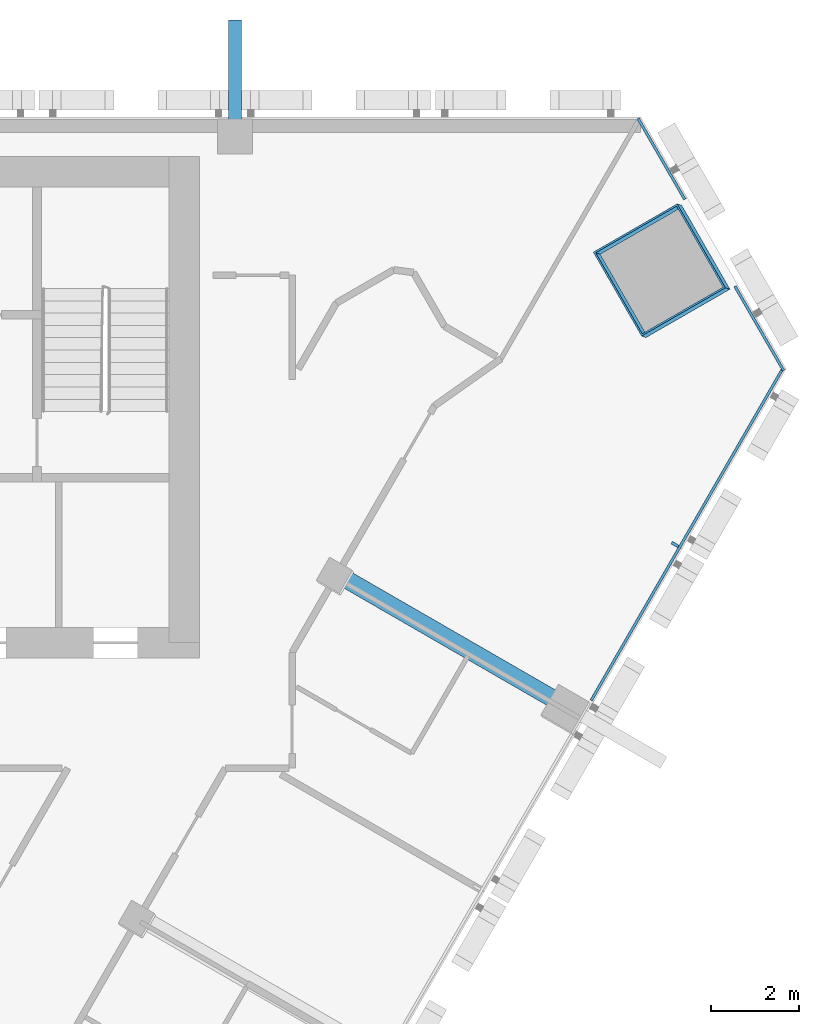
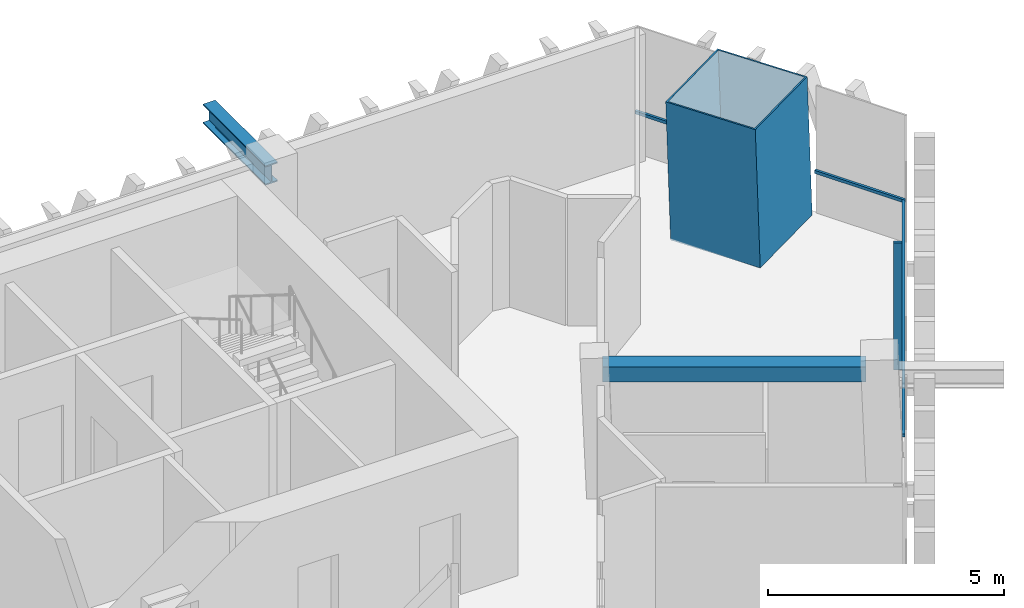
# One storey, part 6 of 15: 6 members, 1 beam, 2 elements without a shape of their own.
"""IFC4 building model written with IfcOpenShell, lengths in metres."""

from ifc_helpers import new_model, si_unit, direction, frame, origin, origin_2d, place, context, subcontext, project, spatial, rectangle, hollow_rectangle, i_section, extrude, material, layer, layer_set, material_profile, profile_set, type_object, element, aggregate, save


model = new_model("IFC4")

# Units and contexts
model_context = context("Model", 3, precision=1e-05, world=origin(), true_north=direction((0.0, 1.0)))
body_context = subcontext(model_context, "Body", "Model", "MODEL_VIEW")
ifc_project = project(units=[si_unit("LENGTHUNIT", "METRE"), si_unit("AREAUNIT", "SQUARE_METRE"), si_unit("VOLUMEUNIT", "CUBIC_METRE"), si_unit("PLANEANGLEUNIT", "RADIAN"), si_unit("MASSUNIT", "GRAM", prefix="KILO")], contexts=[model_context])

# Site, building, storey
site_placement = place(None, origin())
site = spatial("IfcSite", under=ifc_project, at=site_placement, CompositionType="ELEMENT")
building_placement = place(site_placement, origin())
building = spatial("IfcBuilding", under=site, at=building_placement, Name="Altiplano Prism Tower", CompositionType="ELEMENT")
storey_placement = place(building_placement, frame((0.0, 0.0, 185.39990234375)))
storey = spatial("IfcBuildingStorey", under=building, at=storey_placement, Name="L48", CompositionType="ELEMENT", Elevation=185.39990234375)

# Member
ifc_material_1 = material(Name="Steel S355", Category="steel")
ifc_material_profile_1 = material_profile(ifc_material_1, i_section(OverallWidth=0.300048828125, OverallDepth=0.5, WebThickness=0.014404296875, FlangeThickness=0.028076171875, FilletRadius=0.027099609375, at=origin_2d()), Name="Brace bracket HEB 500")
ifc_profile_set_1 = profile_set([ifc_material_profile_1], Name="Steel S355")
member_type_1 = type_object("IfcMemberType", Name="Brace bracket HEB 500", PredefinedType="STRUT", material=ifc_profile_set_1)
member_1_placement = place(storey_placement, frame((98.5, 104.550048828125, 2.9501953125), z_axis=(0.0, 1.0, 0.0), x_axis=(-1.0, 0.0, 0.0)))
element("IfcMember", 1, at=member_1_placement, inside=storey, type_object=member_type_1, Name="Brace bracket 0.189", PredefinedType="STRUT", context=body_context, shape_type="SweptSolid", body=[
    extrude(i_section(OverallWidth=0.300048828125, OverallDepth=0.5, WebThickness=0.014404296875, FlangeThickness=0.028076171875, FilletRadius=0.027099609375, at=origin_2d()), origin(), (0.0, 0.0, 1.0), 2.64990234375),
])

# Curtain wall, members
ifc_material_2 = material(Name="Aluminium and glass", Category="aluminium")
ifc_layer = layer(ifc_material_2, 0.280029296875)
ifc_layer_set = layer_set([ifc_layer], Name="Aluminium and glass")
curtain_wall_type = type_object("IfcCurtainWallType", Name="CW1 typical co-living unitised curtain wall", PredefinedType="NOTDEFINED", material=ifc_layer_set)
curtain_wall_1_placement = place(storey_placement, origin())
curtain_wall_1 = element("IfcCurtainWall", 2, at=curtain_wall_1_placement, inside=storey, type_object=curtain_wall_type, Name="CW1 curtain wall south-east face L48", PredefinedType="NOTDEFINED")
ifc_material_3 = material(Name="Aluminium", Category="aluminium")
ifc_material_profile_2 = material_profile(ifc_material_3, rectangle(XDim=0.179931640625, YDim=0.06494140625, at=origin_2d()), Name="CW1 mullion 65 x 180")
ifc_profile_set_2 = profile_set([ifc_material_profile_2], Name="Aluminium")
member_type_2 = type_object("IfcMemberType", Name="CW1 mullion 65 x 180", PredefinedType="MULLION", material=ifc_profile_set_2)
member_2_placement = place(storey_placement, frame((108.50244140625, 95.279541015625, 0.0), z_axis=(0.0, 0.0, 1.0), x_axis=(-0.866025407999, 0.499999992699, 0.0)))
member_2 = element("IfcMember", 3, at=member_2_placement, type_object=member_type_2, Name="CW1 mullion", PredefinedType="MULLION", context=body_context, shape_type="SweptSolid", body=[
    extrude(rectangle(XDim=0.179931640625, YDim=0.06494140625, at=origin_2d()), origin(), (0.0, 0.0, 1.0), 3.300048828125),
])
ifc_material_profile_3 = material_profile(ifc_material_3, rectangle(XDim=0.06005859375, YDim=0.080078125, at=origin_2d()), Name="CW1 transom 80 x 60")
ifc_profile_set_3 = profile_set([ifc_material_profile_3], Name="Aluminium")
member_type_3 = type_object("IfcMemberType", Name="CW1 transom 80 x 60", PredefinedType="USERDEFINED", material=ifc_profile_set_3)
member_3_placement = place(storey_placement, frame((106.596435546875, 91.738037109375, 1.10009765625), z_axis=(0.500005339912, 0.866022320763, 0.0), x_axis=(-0.866022320763, 0.500005339912, 0.0)))
member_3 = element("IfcMember", 4, at=member_3_placement, type_object=member_type_3, Name="CW1 transom", ObjectType="TRANSOM", PredefinedType="USERDEFINED", context=body_context, shape_type="SweptSolid", body=[
    extrude(rectangle(XDim=0.06005859375, YDim=0.080078125, at=origin_2d()), origin(), (0.0, 0.0, 1.0), 8.74072265625),
])
aggregate(curtain_wall_1, [member_2, member_3])

curtain_wall_2_placement = place(storey_placement, origin())
curtain_wall_2 = element("IfcCurtainWall", 5, at=curtain_wall_2_placement, inside=storey, type_object=curtain_wall_type, Name="CW1 curtain wall north-east chamfer L48", PredefinedType="NOTDEFINED")
member_4_placement = place(storey_placement, frame((110.966796875, 99.23779296875, 1.10009765625), z_axis=(-0.500089568931, 0.865973684962, 0.0), x_axis=(-0.865973684962, -0.500089568931, 0.0)))
member_4 = element("IfcMember", 6, at=member_4_placement, type_object=member_type_3, Name="CW1 transom", ObjectType="TRANSOM", PredefinedType="USERDEFINED", context=body_context, shape_type="SweptSolid", body=[
    extrude(rectangle(XDim=0.06005859375, YDim=0.080078125, at=origin_2d()), origin(), (0.0, 0.0, 1.0), 2.20654296875),
])
member_5_placement = place(storey_placement, frame((108.723388671875, 103.123291015625, 1.10009765625), z_axis=(-0.499954329186, 0.866051770236, 0.0), x_axis=(-0.866051770236, -0.499954329186, 0.0)))
member_5 = element("IfcMember", 7, at=member_5_placement, type_object=member_type_3, Name="CW1 transom", ObjectType="TRANSOM", PredefinedType="USERDEFINED", context=body_context, shape_type="SweptSolid", body=[
    extrude(rectangle(XDim=0.06005859375, YDim=0.080078125, at=origin_2d()), origin(), (0.0, 0.0, 1.0), 2.126708984375),
])
aggregate(curtain_wall_2, [member_4, member_5])

# Member
ifc_material_4 = material(Name="Steel S460", Category="steel")
ifc_material_profile_4 = material_profile(ifc_material_4, hollow_rectangle(XDim=2.199951171875, YDim=2.199951171875, WallThickness=0.0400390625, at=origin_2d()), Name="Mega column tube 2200")
ifc_profile_set_4 = profile_set([ifc_material_profile_4], Name="Steel S460")
member_type_4 = type_object("IfcMemberType", Name="Mega column tube 2200", PredefinedType="POST", material=ifc_profile_set_4)
member_6_placement = place(storey_placement, frame((108.248046875, 101.486328125, 0.0), z_axis=(-0.028334066552, 0.009286524205, 0.999555371723), x_axis=(0.498272954388, -0.866736549779, 0.02217692949)))
element("IfcMember", 8, at=member_6_placement, inside=storey, type_object=member_type_4, Name="Mega column tube M2 L48", PredefinedType="POST", context=body_context, shape_type="SweptSolid", body=[
    extrude(hollow_rectangle(XDim=2.199951171875, YDim=2.199951171875, WallThickness=0.0400390625, at=origin_2d()), origin(), (0.0, 0.0, 1.0), 3.601806640625),
])

# Beam
ifc_material_5 = material(Name="Concrete C60/75", Category="concrete")
ifc_material_profile_5 = material_profile(ifc_material_5, rectangle(XDim=0.39990234375, YDim=0.39990234375, at=origin_2d()), Name="Tie beam 400x400")
ifc_profile_set_5 = profile_set([ifc_material_profile_5], Name="Concrete C60/75")
beam_type = type_object("IfcBeamType", Name="Tie beam 400x400", PredefinedType="BEAM", material=ifc_profile_set_5)
beam_placement = place(storey_placement, frame((100.86376953125, 94.5859375, 3.10009765625), z_axis=(0.866030670444, -0.499990877767, 0.0), x_axis=(0.499990877767, 0.866030670444, 0.0)))
element("IfcBeam", 9, at=beam_placement, inside=storey, type_object=beam_type, Name="Tie beam I24 L49", PredefinedType="BEAM", context=body_context, shape_type="SweptSolid", body=[
    extrude(rectangle(XDim=0.39990234375, YDim=0.39990234375, at=origin_2d()), origin(), (0.0, 0.0, 1.0), 5.58984375),
])

save(model, "model.ifc")
